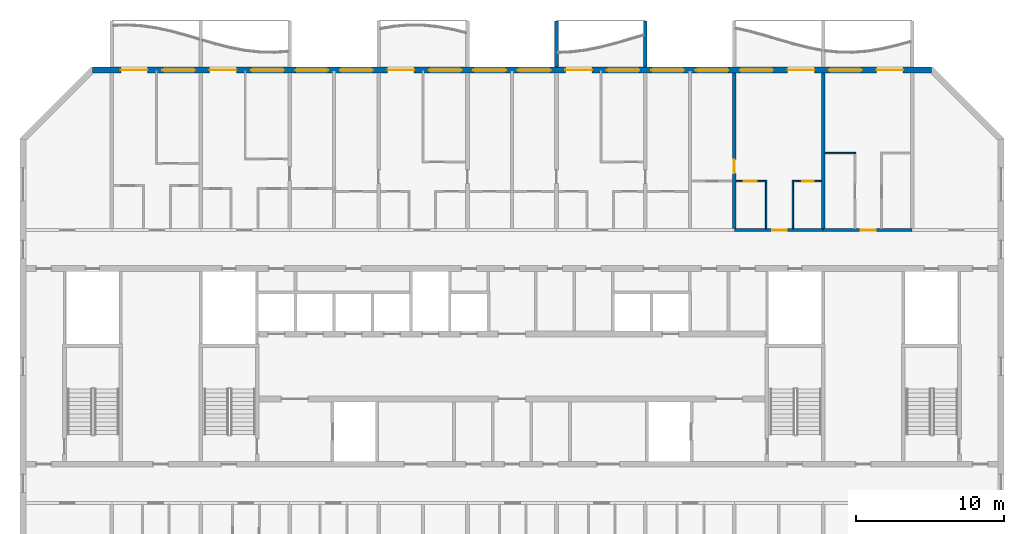
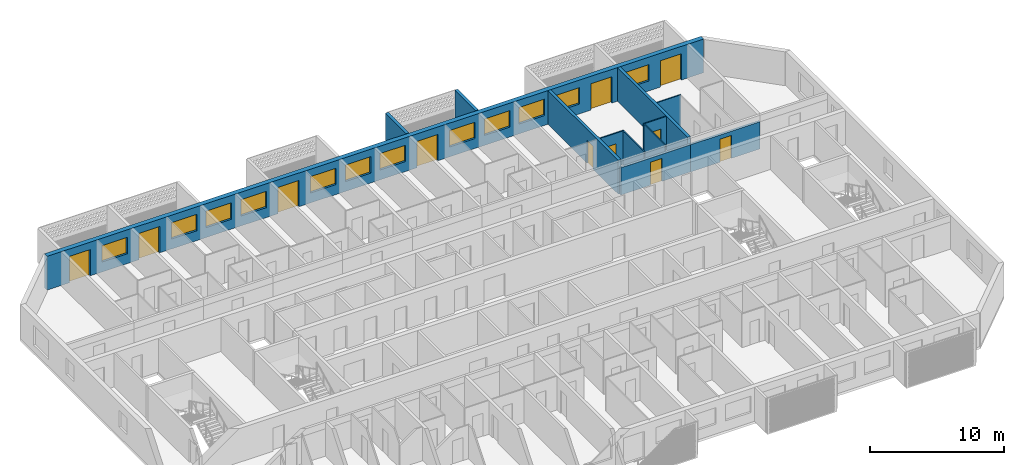
# One storey, part 10 of 27: 12 walls, 12 windows, 11 doors, 23 openings.
"""IFC4 building model written with IfcOpenShell, lengths in metres."""

from ifc_helpers import new_model, si_unit, direction, frame, frame_2d, origin, place, context, subcontext, project, spatial, polyline, rectangle, outline, extrude, source, transform, mapped, material, layer, layer_set, type_object, element, fill, save


model = new_model("IFC4")

# Units and contexts
model_context = context("Model", 3, precision=1e-05, world=origin(), true_north=direction((0.0, 1.0)))
body_context = subcontext(model_context, "Body", "Model", "MODEL_VIEW")
ifc_project = project(units=[si_unit("LENGTHUNIT", "METRE"), si_unit("AREAUNIT", "SQUARE_METRE"), si_unit("VOLUMEUNIT", "CUBIC_METRE"), si_unit("PLANEANGLEUNIT", "RADIAN"), si_unit("MASSUNIT", "GRAM", prefix="KILO")], contexts=[model_context])

# Site, building, storey
site_placement = place(None, origin())
site = spatial("IfcSite", under=ifc_project, at=site_placement, CompositionType="ELEMENT")
building_placement = place(site_placement, origin())
building = spatial("IfcBuilding", under=site, at=building_placement, Name="Poui Terraces", CompositionType="ELEMENT")
storey_placement = place(building_placement, frame((0.0, 0.0, 195.0)))
storey = spatial("IfcBuildingStorey", under=building, at=storey_placement, Name="L54", CompositionType="ELEMENT", Elevation=195.0)

# Wall, opening, door
ifc_material_1 = material(Name="Concrete 50 MPa", Category="concrete")
ifc_layer_1 = layer(ifc_material_1, 0.199951171875)
ifc_layer_set_1 = layer_set([ifc_layer_1], Name="Concrete 50 MPa")
wall_type_1 = type_object("IfcWallType", Name="CORRIDOR WALL 200 50MPa", PredefinedType="SHEAR", material=ifc_layer_set_1)
wall_1_placement = place(storey_placement, frame((66.0, 30.39990234375, 0.0), z_axis=(0.0, 0.0, 1.0), x_axis=(1.0, 0.0, 0.0)))
wall_1 = element("IfcWall", 1, at=wall_1_placement, inside=storey, type_object=wall_type_1, Name="CORRIDOR WALL LINE E BAY 9", PredefinedType="SHEAR", context=body_context, shape_type="SweptSolid", body=[
    extrude(rectangle(XDim=6.0, YDim=0.199951171875, at=frame_2d((3.0, 0.0))), origin(), (0.0, 0.0, 1.0), 2.47998046875),
])
opening_1_placement = place(wall_1_placement, frame((2.550048828125, 0.0, 0.0)))
opening_1 = element("IfcOpeningElement", 2, at=opening_1_placement, cuts=wall_1, Name="Opening FD30S", PredefinedType="OPENING", context=body_context, shape_type="SweptSolid", body=[
    extrude(rectangle(XDim=1.0, YDim=2.10009765625, at=frame_2d((0.5, 1.050048828125))), frame((0.0, 0.10986328125, 0.0), z_axis=(0.0, -1.0, 0.0), x_axis=(1.0, 0.0, 0.0)), (0.0, 0.0, 1.0), 0.219970703125),
])
ifc_material_2 = material(Name="Steel fire door", Category="steel")
door_type_1 = type_object("IfcDoorType", Name="FLAT ENTRANCE DOOR 1000 X 2100", OperationType="NOTDEFINED", PredefinedType="DOOR", material=ifc_material_2)
door_1_placement = place(opening_1_placement, origin())
door_1 = element("IfcDoor", 3, at=door_1_placement, inside=storey, type_object=door_type_1, Name="FLAT ENTRANCE DOOR 057", OperationType="SINGLE_SWING_RIGHT", OverallHeight=2.10009765625, OverallWidth=1.0, PredefinedType="DOOR", context=body_context, shape_type="SweptSolid", body=[
    extrude(rectangle(XDim=1.0, YDim=2.10009765625, at=frame_2d((0.5, 1.050048828125))), frame((0.0, 0.02490234375, 0.0), z_axis=(0.0, -1.0, 0.0), x_axis=(1.0, 0.0, 0.0)), (0.0, 0.0, 1.0), 0.050048828125),
])
fill(opening_1, door_1)

wall_2_placement = place(storey_placement, frame((72.0, 30.39990234375, 0.0), z_axis=(0.0, 0.0, 1.0), x_axis=(1.0, 0.0, 0.0)))
wall_2 = element("IfcWall", 4, at=wall_2_placement, inside=storey, type_object=wall_type_1, Name="CORRIDOR WALL LINE E BAY 10", PredefinedType="SHEAR", context=body_context, shape_type="SweptSolid", body=[
    extrude(rectangle(XDim=6.0, YDim=0.199951171875, at=frame_2d((3.0, 0.0))), origin(), (0.0, 0.0, 1.0), 2.47998046875),
])
opening_2_placement = place(wall_2_placement, frame((2.550048828125, 0.0, 0.0)))
opening_2 = element("IfcOpeningElement", 5, at=opening_2_placement, cuts=wall_2, Name="Opening FD30S", PredefinedType="OPENING", context=body_context, shape_type="SweptSolid", body=[
    extrude(rectangle(XDim=1.0, YDim=2.10009765625, at=frame_2d((0.5, 1.050048828125))), frame((0.0, 0.10986328125, 0.0), z_axis=(0.0, -1.0, 0.0), x_axis=(1.0, 0.0, 0.0)), (0.0, 0.0, 1.0), 0.219970703125),
])
door_2_placement = place(opening_2_placement, origin())
door_2 = element("IfcDoor", 6, at=door_2_placement, inside=storey, type_object=door_type_1, Name="FLAT ENTRANCE DOOR 060", OperationType="SINGLE_SWING_RIGHT", OverallHeight=2.10009765625, OverallWidth=1.0, PredefinedType="DOOR", context=body_context, shape_type="SweptSolid", body=[
    extrude(rectangle(XDim=1.0, YDim=2.10009765625, at=frame_2d((0.5, 1.050048828125))), frame((0.0, 0.02490234375, 0.0), z_axis=(0.0, -1.0, 0.0), x_axis=(1.0, 0.0, 0.0)), (0.0, 0.0, 1.0), 0.050048828125),
])
fill(opening_2, door_2)

ifc_layer_2 = layer(ifc_material_1, 0.25)
ifc_layer_set_2 = layer_set([ifc_layer_2], Name="Concrete 50 MPa")
wall_type_2 = type_object("IfcWallType", Name="CROSS WALL 250 50MPa", PredefinedType="SHEAR", material=ifc_layer_set_2)
wall_3_placement = place(storey_placement, frame((66.0, 30.5, 0.0), z_axis=(0.0, 0.0, 1.0), x_axis=(0.0, 1.0, 0.0)))
wall_3 = element("IfcWall", 7, at=wall_3_placement, inside=storey, type_object=wall_type_2, Name="CROSS WALL LINE 12 NORTH", PredefinedType="SHEAR", context=body_context, shape_type="SweptSolid", body=[
    extrude(rectangle(XDim=10.5, YDim=0.25, at=frame_2d((5.25, 0.0))), origin(), (0.0, 0.0, 1.0), 3.080078125),
])
opening_3_placement = place(wall_3_placement, frame((3.75, 0.0, 0.0)))
opening_3 = element("IfcOpeningElement", 8, at=opening_3_placement, cuts=wall_3, Name="Opening D90", PredefinedType="OPENING", context=body_context, shape_type="SweptSolid", body=[
    extrude(rectangle(XDim=0.89990234375, YDim=2.10009765625, at=frame_2d((0.449951171875, 1.050048828125))), frame((0.0, 0.135009765625, 0.0), z_axis=(0.0, -1.0, 0.0), x_axis=(1.0, 0.0, 0.0)), (0.0, 0.0, 1.0), 0.27001953125),
])
ifc_material_3 = material(Name="Solid core timber door", Category="wood")
door_type_2 = type_object("IfcDoorType", Name="INTERNAL DOOR 900 X 2100", OperationType="NOTDEFINED", PredefinedType="DOOR", material=ifc_material_3)
door_3_placement = place(opening_3_placement, origin())
door_3 = element("IfcDoor", 9, at=door_3_placement, inside=storey, type_object=door_type_2, Name="INTERNAL DOOR 055", OperationType="SINGLE_SWING_LEFT", OverallHeight=2.10009765625, OverallWidth=0.89990234375, PredefinedType="DOOR", context=body_context, shape_type="SweptSolid", body=[
    extrude(rectangle(XDim=0.89990234375, YDim=2.10009765625, at=frame_2d((0.449951171875, 1.050048828125))), frame((0.0, 0.02490234375, 0.0), z_axis=(0.0, -1.0, 0.0), x_axis=(1.0, 0.0, 0.0)), (0.0, 0.0, 1.0), 0.050048828125),
])
fill(opening_3, door_3)

# Wall
wall_4_placement = place(storey_placement, frame((72.0, 30.5, 0.0), z_axis=(0.0, 0.0, 1.0), x_axis=(0.0, 1.0, 0.0)))
element("IfcWall", 10, at=wall_4_placement, inside=storey, type_object=wall_type_2, Name="CROSS WALL LINE 13 NORTH", PredefinedType="SHEAR", context=body_context, shape_type="SweptSolid", body=[
    extrude(rectangle(XDim=10.5, YDim=0.25, at=frame_2d((5.25, 0.0))), origin(), (0.0, 0.0, 1.0), 3.080078125),
])

# Wall, openings, doors, windows
ifc_material_4 = material(Name="Precast concrete 40 MPa", Category="concrete")
ifc_layer_3 = layer(ifc_material_4, 0.39990234375)
ifc_layer_set_3 = layer_set([ifc_layer_3], Name="Precast concrete 40 MPa")
wall_type_3 = type_object("IfcWallType", Name="EXTERNAL WALL 400", PredefinedType="STANDARD", material=ifc_layer_set_3)
wall_5_placement = place(storey_placement, frame((79.317138671875, 41.199951171875, 0.0), z_axis=(0.0, 0.0, 1.0), x_axis=(-1.0, 0.0, 0.0)))
wall_5 = element("IfcWall", 11, at=wall_5_placement, inside=storey, type_object=wall_type_3, Name="EXTERNAL WALL N", PredefinedType="STANDARD", context=body_context, shape_type="SweptSolid", body=[
    extrude(rectangle(XDim=56.63427734375, YDim=0.39990234375, at=frame_2d((28.317138671875, 0.0))), origin(), (0.0, 0.0, 1.0), 3.080078125),
])
opening_4_placement = place(wall_5_placement, frame((52.917236328125, 0.0, 0.0)))
opening_4 = element("IfcOpeningElement", 12, at=opening_4_placement, cuts=wall_5, Name="Opening BD1", PredefinedType="OPENING", context=body_context, shape_type="SweptSolid", body=[
    extrude(rectangle(XDim=1.800048828125, YDim=2.39990234375, at=frame_2d((0.89990234375, 1.199951171875))), frame((0.0, 0.2099609375, 0.0), z_axis=(0.0, -1.0, 0.0), x_axis=(1.0, 0.0, 0.0)), (0.0, 0.0, 1.0), 0.419921875),
])
opening_5_placement = place(wall_5_placement, frame((49.71728515625, 0.0, 0.89990234375)))
opening_5 = element("IfcOpeningElement", 13, at=opening_5_placement, cuts=wall_5, Name="Opening W1", PredefinedType="OPENING", context=body_context, shape_type="SweptSolid", body=[
    extrude(rectangle(XDim=2.199951171875, YDim=1.5, at=frame_2d((1.10009765625, 0.75))), frame((0.0, 0.2099609375, 0.0), z_axis=(0.0, -1.0, 0.0), x_axis=(1.0, 0.0, 0.0)), (0.0, 0.0, 1.0), 0.419921875),
])
opening_6_placement = place(wall_5_placement, frame((46.917236328125, 0.0, 0.0)))
opening_6 = element("IfcOpeningElement", 14, at=opening_6_placement, cuts=wall_5, Name="Opening BD1", PredefinedType="OPENING", context=body_context, shape_type="SweptSolid", body=[
    extrude(rectangle(XDim=1.800048828125, YDim=2.39990234375, at=frame_2d((0.89990234375, 1.199951171875))), frame((0.0, 0.2099609375, 0.0), z_axis=(0.0, -1.0, 0.0), x_axis=(1.0, 0.0, 0.0)), (0.0, 0.0, 1.0), 0.419921875),
])
opening_7_placement = place(wall_5_placement, frame((43.71728515625, 0.0, 0.89990234375)))
opening_7 = element("IfcOpeningElement", 15, at=opening_7_placement, cuts=wall_5, Name="Opening W1", PredefinedType="OPENING", context=body_context, shape_type="SweptSolid", body=[
    extrude(rectangle(XDim=2.199951171875, YDim=1.5, at=frame_2d((1.10009765625, 0.75))), frame((0.0, 0.2099609375, 0.0), z_axis=(0.0, -1.0, 0.0), x_axis=(1.0, 0.0, 0.0)), (0.0, 0.0, 1.0), 0.419921875),
])
opening_8_placement = place(wall_5_placement, frame((40.71728515625, 0.0, 0.89990234375)))
opening_8 = element("IfcOpeningElement", 16, at=opening_8_placement, cuts=wall_5, Name="Opening W1", PredefinedType="OPENING", context=body_context, shape_type="SweptSolid", body=[
    extrude(rectangle(XDim=2.199951171875, YDim=1.5, at=frame_2d((1.10009765625, 0.75))), frame((0.0, 0.2099609375, 0.0), z_axis=(0.0, -1.0, 0.0), x_axis=(1.0, 0.0, 0.0)), (0.0, 0.0, 1.0), 0.419921875),
])
opening_9_placement = place(wall_5_placement, frame((37.71728515625, 0.0, 0.89990234375)))
opening_9 = element("IfcOpeningElement", 17, at=opening_9_placement, cuts=wall_5, Name="Opening W1", PredefinedType="OPENING", context=body_context, shape_type="SweptSolid", body=[
    extrude(rectangle(XDim=2.199951171875, YDim=1.5, at=frame_2d((1.10009765625, 0.75))), frame((0.0, 0.2099609375, 0.0), z_axis=(0.0, -1.0, 0.0), x_axis=(1.0, 0.0, 0.0)), (0.0, 0.0, 1.0), 0.419921875),
])
opening_10_placement = place(wall_5_placement, frame((34.917236328125, 0.0, 0.0)))
opening_10 = element("IfcOpeningElement", 18, at=opening_10_placement, cuts=wall_5, Name="Opening BD1", PredefinedType="OPENING", context=body_context, shape_type="SweptSolid", body=[
    extrude(rectangle(XDim=1.800048828125, YDim=2.39990234375, at=frame_2d((0.89990234375, 1.199951171875))), frame((0.0, 0.2099609375, 0.0), z_axis=(0.0, -1.0, 0.0), x_axis=(1.0, 0.0, 0.0)), (0.0, 0.0, 1.0), 0.419921875),
])
opening_11_placement = place(wall_5_placement, frame((31.71728515625, 0.0, 0.89990234375)))
opening_11 = element("IfcOpeningElement", 19, at=opening_11_placement, cuts=wall_5, Name="Opening W1", PredefinedType="OPENING", context=body_context, shape_type="SweptSolid", body=[
    extrude(rectangle(XDim=2.199951171875, YDim=1.5, at=frame_2d((1.10009765625, 0.75))), frame((0.0, 0.2099609375, 0.0), z_axis=(0.0, -1.0, 0.0), x_axis=(1.0, 0.0, 0.0)), (0.0, 0.0, 1.0), 0.419921875),
])
opening_12_placement = place(wall_5_placement, frame((28.71728515625, 0.0, 0.89990234375)))
opening_12 = element("IfcOpeningElement", 20, at=opening_12_placement, cuts=wall_5, Name="Opening W1", PredefinedType="OPENING", context=body_context, shape_type="SweptSolid", body=[
    extrude(rectangle(XDim=2.199951171875, YDim=1.5, at=frame_2d((1.10009765625, 0.75))), frame((0.0, 0.2099609375, 0.0), z_axis=(0.0, -1.0, 0.0), x_axis=(1.0, 0.0, 0.0)), (0.0, 0.0, 1.0), 0.419921875),
])
opening_13_placement = place(wall_5_placement, frame((25.71728515625, 0.0, 0.89990234375)))
opening_13 = element("IfcOpeningElement", 21, at=opening_13_placement, cuts=wall_5, Name="Opening W1", PredefinedType="OPENING", context=body_context, shape_type="SweptSolid", body=[
    extrude(rectangle(XDim=2.199951171875, YDim=1.5, at=frame_2d((1.10009765625, 0.75))), frame((0.0, 0.2099609375, 0.0), z_axis=(0.0, -1.0, 0.0), x_axis=(1.0, 0.0, 0.0)), (0.0, 0.0, 1.0), 0.419921875),
])
opening_14_placement = place(wall_5_placement, frame((22.917236328125, 0.0, 0.0)))
opening_14 = element("IfcOpeningElement", 22, at=opening_14_placement, cuts=wall_5, Name="Opening BD1", PredefinedType="OPENING", context=body_context, shape_type="SweptSolid", body=[
    extrude(rectangle(XDim=1.800048828125, YDim=2.39990234375, at=frame_2d((0.89990234375, 1.199951171875))), frame((0.0, 0.2099609375, 0.0), z_axis=(0.0, -1.0, 0.0), x_axis=(1.0, 0.0, 0.0)), (0.0, 0.0, 1.0), 0.419921875),
])
opening_15_placement = place(wall_5_placement, frame((19.71728515625, 0.0, 0.89990234375)))
opening_15 = element("IfcOpeningElement", 23, at=opening_15_placement, cuts=wall_5, Name="Opening W1", PredefinedType="OPENING", context=body_context, shape_type="SweptSolid", body=[
    extrude(rectangle(XDim=2.199951171875, YDim=1.5, at=frame_2d((1.10009765625, 0.75))), frame((0.0, 0.2099609375, 0.0), z_axis=(0.0, -1.0, 0.0), x_axis=(1.0, 0.0, 0.0)), (0.0, 0.0, 1.0), 0.419921875),
])
opening_16_placement = place(wall_5_placement, frame((16.71728515625, 0.0, 0.89990234375)))
opening_16 = element("IfcOpeningElement", 24, at=opening_16_placement, cuts=wall_5, Name="Opening W1", PredefinedType="OPENING", context=body_context, shape_type="SweptSolid", body=[
    extrude(rectangle(XDim=2.199951171875, YDim=1.5, at=frame_2d((1.10009765625, 0.75))), frame((0.0, 0.2099609375, 0.0), z_axis=(0.0, -1.0, 0.0), x_axis=(1.0, 0.0, 0.0)), (0.0, 0.0, 1.0), 0.419921875),
])
opening_17_placement = place(wall_5_placement, frame((13.71728515625, 0.0, 0.89990234375)))
opening_17 = element("IfcOpeningElement", 25, at=opening_17_placement, cuts=wall_5, Name="Opening W1", PredefinedType="OPENING", context=body_context, shape_type="SweptSolid", body=[
    extrude(rectangle(XDim=2.199951171875, YDim=1.5, at=frame_2d((1.10009765625, 0.75))), frame((0.0, 0.2099609375, 0.0), z_axis=(0.0, -1.0, 0.0), x_axis=(1.0, 0.0, 0.0)), (0.0, 0.0, 1.0), 0.419921875),
])
opening_18_placement = place(wall_5_placement, frame((10.71728515625, 0.0, 0.89990234375)))
opening_18 = element("IfcOpeningElement", 26, at=opening_18_placement, cuts=wall_5, Name="Opening W1", PredefinedType="OPENING", context=body_context, shape_type="SweptSolid", body=[
    extrude(rectangle(XDim=2.199951171875, YDim=1.5, at=frame_2d((1.10009765625, 0.75))), frame((0.0, 0.2099609375, 0.0), z_axis=(0.0, -1.0, 0.0), x_axis=(1.0, 0.0, 0.0)), (0.0, 0.0, 1.0), 0.419921875),
])
opening_19_placement = place(wall_5_placement, frame((7.917236328125, 0.0, 0.0)))
opening_19 = element("IfcOpeningElement", 27, at=opening_19_placement, cuts=wall_5, Name="Opening BD1", PredefinedType="OPENING", context=body_context, shape_type="SweptSolid", body=[
    extrude(rectangle(XDim=1.800048828125, YDim=2.39990234375, at=frame_2d((0.89990234375, 1.199951171875))), frame((0.0, 0.2099609375, 0.0), z_axis=(0.0, -1.0, 0.0), x_axis=(1.0, 0.0, 0.0)), (0.0, 0.0, 1.0), 0.419921875),
])
opening_20_placement = place(wall_5_placement, frame((4.71728515625, 0.0, 0.89990234375)))
opening_20 = element("IfcOpeningElement", 28, at=opening_20_placement, cuts=wall_5, Name="Opening W1", PredefinedType="OPENING", context=body_context, shape_type="SweptSolid", body=[
    extrude(rectangle(XDim=2.199951171875, YDim=1.5, at=frame_2d((1.10009765625, 0.75))), frame((0.0, 0.2099609375, 0.0), z_axis=(0.0, -1.0, 0.0), x_axis=(1.0, 0.0, 0.0)), (0.0, 0.0, 1.0), 0.419921875),
])
opening_21_placement = place(wall_5_placement, frame((1.917236328125, 0.0, 0.0)))
opening_21 = element("IfcOpeningElement", 29, at=opening_21_placement, cuts=wall_5, Name="Opening BD1", PredefinedType="OPENING", context=body_context, shape_type="SweptSolid", body=[
    extrude(rectangle(XDim=1.800048828125, YDim=2.39990234375, at=frame_2d((0.89990234375, 1.199951171875))), frame((0.0, 0.2099609375, 0.0), z_axis=(0.0, -1.0, 0.0), x_axis=(1.0, 0.0, 0.0)), (0.0, 0.0, 1.0), 0.419921875),
])
ifc_material_5 = material(Name="Clear glass in aluminium frame", Category="aluminium")
door_type_3 = type_object("IfcDoorType", Name="BALCONY DOOR 1800X2400", OperationType="DOUBLE_DOOR_SLIDING", PredefinedType="DOOR", material=ifc_material_5)
door_4_placement = place(opening_4_placement, origin())
door_4 = element("IfcDoor", 30, at=door_4_placement, inside=storey, type_object=door_type_3, Name="BD1 BALCONY DOOR", OperationType="DOUBLE_DOOR_SLIDING", OverallHeight=2.39990234375, OverallWidth=1.800048828125, PredefinedType="DOOR", context=body_context, shape_type="SweptSolid", body=[
    extrude(rectangle(XDim=1.800048828125, YDim=2.39990234375, at=frame_2d((0.89990234375, 1.199951171875))), frame((0.0, 0.02490234375, 0.0), z_axis=(0.0, -1.0, 0.0), x_axis=(1.0, 0.0, 0.0)), (0.0, 0.0, 1.0), 0.050048828125),
])
fill(opening_4, door_4)
door_5_placement = place(opening_6_placement, origin())
door_5 = element("IfcDoor", 31, at=door_5_placement, inside=storey, type_object=door_type_3, Name="BD1 BALCONY DOOR", OperationType="DOUBLE_DOOR_SLIDING", OverallHeight=2.39990234375, OverallWidth=1.800048828125, PredefinedType="DOOR", context=body_context, shape_type="SweptSolid", body=[
    extrude(rectangle(XDim=1.800048828125, YDim=2.39990234375, at=frame_2d((0.89990234375, 1.199951171875))), frame((0.0, 0.02490234375, 0.0), z_axis=(0.0, -1.0, 0.0), x_axis=(1.0, 0.0, 0.0)), (0.0, 0.0, 1.0), 0.050048828125),
])
fill(opening_6, door_5)
door_6_placement = place(opening_10_placement, origin())
door_6 = element("IfcDoor", 32, at=door_6_placement, inside=storey, type_object=door_type_3, Name="BD1 BALCONY DOOR", OperationType="DOUBLE_DOOR_SLIDING", OverallHeight=2.39990234375, OverallWidth=1.800048828125, PredefinedType="DOOR", context=body_context, shape_type="SweptSolid", body=[
    extrude(rectangle(XDim=1.800048828125, YDim=2.39990234375, at=frame_2d((0.89990234375, 1.199951171875))), frame((0.0, 0.02490234375, 0.0), z_axis=(0.0, -1.0, 0.0), x_axis=(1.0, 0.0, 0.0)), (0.0, 0.0, 1.0), 0.050048828125),
])
fill(opening_10, door_6)
door_7_placement = place(opening_14_placement, origin())
door_7 = element("IfcDoor", 33, at=door_7_placement, inside=storey, type_object=door_type_3, Name="BD1 BALCONY DOOR", OperationType="DOUBLE_DOOR_SLIDING", OverallHeight=2.39990234375, OverallWidth=1.800048828125, PredefinedType="DOOR", context=body_context, shape_type="SweptSolid", body=[
    extrude(rectangle(XDim=1.800048828125, YDim=2.39990234375, at=frame_2d((0.89990234375, 1.199951171875))), frame((0.0, 0.02490234375, 0.0), z_axis=(0.0, -1.0, 0.0), x_axis=(1.0, 0.0, 0.0)), (0.0, 0.0, 1.0), 0.050048828125),
])
fill(opening_14, door_7)
door_8_placement = place(opening_19_placement, origin())
door_8 = element("IfcDoor", 34, at=door_8_placement, inside=storey, type_object=door_type_3, Name="BD1 BALCONY DOOR", OperationType="DOUBLE_DOOR_SLIDING", OverallHeight=2.39990234375, OverallWidth=1.800048828125, PredefinedType="DOOR", context=body_context, shape_type="SweptSolid", body=[
    extrude(rectangle(XDim=1.800048828125, YDim=2.39990234375, at=frame_2d((0.89990234375, 1.199951171875))), frame((0.0, 0.02490234375, 0.0), z_axis=(0.0, -1.0, 0.0), x_axis=(1.0, 0.0, 0.0)), (0.0, 0.0, 1.0), 0.050048828125),
])
fill(opening_19, door_8)
door_9_placement = place(opening_21_placement, origin())
door_9 = element("IfcDoor", 35, at=door_9_placement, inside=storey, type_object=door_type_3, Name="BD1 BALCONY DOOR", OperationType="DOUBLE_DOOR_SLIDING", OverallHeight=2.39990234375, OverallWidth=1.800048828125, PredefinedType="DOOR", context=body_context, shape_type="SweptSolid", body=[
    extrude(rectangle(XDim=1.800048828125, YDim=2.39990234375, at=frame_2d((0.89990234375, 1.199951171875))), frame((0.0, 0.02490234375, 0.0), z_axis=(0.0, -1.0, 0.0), x_axis=(1.0, 0.0, 0.0)), (0.0, 0.0, 1.0), 0.050048828125),
])
fill(opening_21, door_9)
window_type = type_object("IfcWindowType", Name="WINDOW 2200X1500", PartitioningType="DOUBLE_PANEL_HORIZONTAL", PredefinedType="WINDOW", material=ifc_material_5)
window_1_placement = place(opening_5_placement, origin())
window_1 = element("IfcWindow", 36, at=window_1_placement, inside=storey, type_object=window_type, Name="W1 WINDOW", OverallHeight=1.5, OverallWidth=2.199951171875, PartitioningType="DOUBLE_PANEL_HORIZONTAL", PredefinedType="WINDOW", context=body_context, shape_type="SweptSolid", body=[
    extrude(rectangle(XDim=2.199951171875, YDim=1.5, at=frame_2d((1.10009765625, 0.75))), frame((0.0, 0.030029296875, 0.0), z_axis=(0.0, -1.0, 0.0), x_axis=(1.0, 0.0, 0.0)), (0.0, 0.0, 1.0), 0.06005859375),
])
fill(opening_5, window_1)
window_2_placement = place(opening_7_placement, origin())
window_2 = element("IfcWindow", 37, at=window_2_placement, inside=storey, type_object=window_type, Name="W1 WINDOW", OverallHeight=1.5, OverallWidth=2.199951171875, PartitioningType="DOUBLE_PANEL_HORIZONTAL", PredefinedType="WINDOW", context=body_context, shape_type="SweptSolid", body=[
    extrude(rectangle(XDim=2.199951171875, YDim=1.5, at=frame_2d((1.10009765625, 0.75))), frame((0.0, 0.030029296875, 0.0), z_axis=(0.0, -1.0, 0.0), x_axis=(1.0, 0.0, 0.0)), (0.0, 0.0, 1.0), 0.06005859375),
])
fill(opening_7, window_2)
window_3_placement = place(opening_8_placement, origin())
window_3 = element("IfcWindow", 38, at=window_3_placement, inside=storey, type_object=window_type, Name="W1 WINDOW", OverallHeight=1.5, OverallWidth=2.199951171875, PartitioningType="DOUBLE_PANEL_HORIZONTAL", PredefinedType="WINDOW", context=body_context, shape_type="SweptSolid", body=[
    extrude(rectangle(XDim=2.199951171875, YDim=1.5, at=frame_2d((1.10009765625, 0.75))), frame((0.0, 0.030029296875, 0.0), z_axis=(0.0, -1.0, 0.0), x_axis=(1.0, 0.0, 0.0)), (0.0, 0.0, 1.0), 0.06005859375),
])
fill(opening_8, window_3)
window_4_placement = place(opening_9_placement, origin())
window_4 = element("IfcWindow", 39, at=window_4_placement, inside=storey, type_object=window_type, Name="W1 WINDOW", OverallHeight=1.5, OverallWidth=2.199951171875, PartitioningType="DOUBLE_PANEL_HORIZONTAL", PredefinedType="WINDOW", context=body_context, shape_type="SweptSolid", body=[
    extrude(rectangle(XDim=2.199951171875, YDim=1.5, at=frame_2d((1.10009765625, 0.75))), frame((0.0, 0.030029296875, 0.0), z_axis=(0.0, -1.0, 0.0), x_axis=(1.0, 0.0, 0.0)), (0.0, 0.0, 1.0), 0.06005859375),
])
fill(opening_9, window_4)
window_5_placement = place(opening_11_placement, origin())
window_5 = element("IfcWindow", 40, at=window_5_placement, inside=storey, type_object=window_type, Name="W1 WINDOW", OverallHeight=1.5, OverallWidth=2.199951171875, PartitioningType="DOUBLE_PANEL_HORIZONTAL", PredefinedType="WINDOW", context=body_context, shape_type="SweptSolid", body=[
    extrude(rectangle(XDim=2.199951171875, YDim=1.5, at=frame_2d((1.10009765625, 0.75))), frame((0.0, 0.030029296875, 0.0), z_axis=(0.0, -1.0, 0.0), x_axis=(1.0, 0.0, 0.0)), (0.0, 0.0, 1.0), 0.06005859375),
])
fill(opening_11, window_5)
window_6_placement = place(opening_12_placement, origin())
window_6 = element("IfcWindow", 41, at=window_6_placement, inside=storey, type_object=window_type, Name="W1 WINDOW", OverallHeight=1.5, OverallWidth=2.199951171875, PartitioningType="DOUBLE_PANEL_HORIZONTAL", PredefinedType="WINDOW", context=body_context, shape_type="SweptSolid", body=[
    extrude(rectangle(XDim=2.199951171875, YDim=1.5, at=frame_2d((1.10009765625, 0.75))), frame((0.0, 0.030029296875, 0.0), z_axis=(0.0, -1.0, 0.0), x_axis=(1.0, 0.0, 0.0)), (0.0, 0.0, 1.0), 0.06005859375),
])
fill(opening_12, window_6)
window_7_placement = place(opening_13_placement, origin())
window_7 = element("IfcWindow", 42, at=window_7_placement, inside=storey, type_object=window_type, Name="W1 WINDOW", OverallHeight=1.5, OverallWidth=2.199951171875, PartitioningType="DOUBLE_PANEL_HORIZONTAL", PredefinedType="WINDOW", context=body_context, shape_type="SweptSolid", body=[
    extrude(rectangle(XDim=2.199951171875, YDim=1.5, at=frame_2d((1.10009765625, 0.75))), frame((0.0, 0.030029296875, 0.0), z_axis=(0.0, -1.0, 0.0), x_axis=(1.0, 0.0, 0.0)), (0.0, 0.0, 1.0), 0.06005859375),
])
fill(opening_13, window_7)
window_8_placement = place(opening_15_placement, origin())
window_8 = element("IfcWindow", 43, at=window_8_placement, inside=storey, type_object=window_type, Name="W1 WINDOW", OverallHeight=1.5, OverallWidth=2.199951171875, PartitioningType="DOUBLE_PANEL_HORIZONTAL", PredefinedType="WINDOW", context=body_context, shape_type="SweptSolid", body=[
    extrude(rectangle(XDim=2.199951171875, YDim=1.5, at=frame_2d((1.10009765625, 0.75))), frame((0.0, 0.030029296875, 0.0), z_axis=(0.0, -1.0, 0.0), x_axis=(1.0, 0.0, 0.0)), (0.0, 0.0, 1.0), 0.06005859375),
])
fill(opening_15, window_8)
window_9_placement = place(opening_16_placement, origin())
window_9 = element("IfcWindow", 44, at=window_9_placement, inside=storey, type_object=window_type, Name="W1 WINDOW", OverallHeight=1.5, OverallWidth=2.199951171875, PartitioningType="DOUBLE_PANEL_HORIZONTAL", PredefinedType="WINDOW", context=body_context, shape_type="SweptSolid", body=[
    extrude(rectangle(XDim=2.199951171875, YDim=1.5, at=frame_2d((1.10009765625, 0.75))), frame((0.0, 0.030029296875, 0.0), z_axis=(0.0, -1.0, 0.0), x_axis=(1.0, 0.0, 0.0)), (0.0, 0.0, 1.0), 0.06005859375),
])
fill(opening_16, window_9)
window_10_placement = place(opening_17_placement, origin())
window_10 = element("IfcWindow", 45, at=window_10_placement, inside=storey, type_object=window_type, Name="W1 WINDOW", OverallHeight=1.5, OverallWidth=2.199951171875, PartitioningType="DOUBLE_PANEL_HORIZONTAL", PredefinedType="WINDOW", context=body_context, shape_type="SweptSolid", body=[
    extrude(rectangle(XDim=2.199951171875, YDim=1.5, at=frame_2d((1.10009765625, 0.75))), frame((0.0, 0.030029296875, 0.0), z_axis=(0.0, -1.0, 0.0), x_axis=(1.0, 0.0, 0.0)), (0.0, 0.0, 1.0), 0.06005859375),
])
fill(opening_17, window_10)
window_11_placement = place(opening_18_placement, origin())
window_11 = element("IfcWindow", 46, at=window_11_placement, inside=storey, type_object=window_type, Name="W1 WINDOW", OverallHeight=1.5, OverallWidth=2.199951171875, PartitioningType="DOUBLE_PANEL_HORIZONTAL", PredefinedType="WINDOW", context=body_context, shape_type="SweptSolid", body=[
    extrude(rectangle(XDim=2.199951171875, YDim=1.5, at=frame_2d((1.10009765625, 0.75))), frame((0.0, 0.030029296875, 0.0), z_axis=(0.0, -1.0, 0.0), x_axis=(1.0, 0.0, 0.0)), (0.0, 0.0, 1.0), 0.06005859375),
])
fill(opening_18, window_11)
window_12_placement = place(opening_20_placement, origin())
window_12 = element("IfcWindow", 47, at=window_12_placement, inside=storey, type_object=window_type, Name="W1 WINDOW", OverallHeight=1.5, OverallWidth=2.199951171875, PartitioningType="DOUBLE_PANEL_HORIZONTAL", PredefinedType="WINDOW", context=body_context, shape_type="SweptSolid", body=[
    extrude(rectangle(XDim=2.199951171875, YDim=1.5, at=frame_2d((1.10009765625, 0.75))), frame((0.0, 0.030029296875, 0.0), z_axis=(0.0, -1.0, 0.0), x_axis=(1.0, 0.0, 0.0)), (0.0, 0.0, 1.0), 0.06005859375),
])
fill(opening_20, window_12)

# Wall, opening, door
ifc_material_6 = material(Name="Plasterboard partition")
ifc_layer_4 = layer(ifc_material_6, 0.10009765625)
ifc_layer_set_4 = layer_set([ifc_layer_4], Name="Plasterboard partition")
wall_type_4 = type_object("IfcWallType", Name="FLAT PARTITION 100", PredefinedType="PARTITIONING", material=ifc_layer_set_4)
wall_6_placement = place(storey_placement, frame((66.135009765625, 33.699951171875, 0.0), z_axis=(0.0, 0.0, 1.0), x_axis=(1.0, 0.0, 0.0)))
wall_6 = element("IfcWall", 48, at=wall_6_placement, inside=storey, type_object=wall_type_4, Name="FLAT PARTITION 100", PredefinedType="PARTITIONING", context=body_context, shape_type="SweptSolid", body=[
    extrude(rectangle(XDim=2.06494140625, YDim=0.10009765625, at=frame_2d((1.032470703125, 0.0))), origin(), (0.0, 0.0, 1.0), 3.080078125),
])
opening_22_placement = place(wall_6_placement, frame((0.489990234375, 0.0, 0.0)))
opening_22 = element("IfcOpeningElement", 49, at=opening_22_placement, cuts=wall_6, Name="Opening D90", PredefinedType="OPENING", context=body_context, shape_type="SweptSolid", body=[
    extrude(rectangle(XDim=0.89990234375, YDim=2.10009765625, at=frame_2d((0.449951171875, 1.050048828125))), frame((0.0, 0.06005859375, 0.0), z_axis=(0.0, -1.0, 0.0), x_axis=(1.0, 0.0, 0.0)), (0.0, 0.0, 1.0), 0.1201171875),
])
door_10_placement = place(opening_22_placement, frame((0.89990234375, 0.0, 0.0), z_axis=(0.0, 0.0, 1.0), x_axis=(-1.0, 0.0, 0.0)))
door_10 = element("IfcDoor", 50, at=door_10_placement, inside=storey, type_object=door_type_2, Name="INTERNAL DOOR 056", OperationType="SINGLE_SWING_RIGHT", OverallHeight=2.10009765625, OverallWidth=0.89990234375, PredefinedType="DOOR", context=body_context, shape_type="SweptSolid", body=[
    extrude(rectangle(XDim=0.89990234375, YDim=2.10009765625, at=frame_2d((0.449951171875, 1.050048828125))), frame((0.0, 0.02490234375, 0.0), z_axis=(0.0, -1.0, 0.0), x_axis=(1.0, 0.0, 0.0)), (0.0, 0.0, 1.0), 0.050048828125),
])
fill(opening_22, door_10)

wall_7_placement = place(storey_placement, frame((69.89990234375, 33.699951171875, 0.0), z_axis=(0.0, 0.0, 1.0), x_axis=(1.0, 0.0, 0.0)))
wall_7 = element("IfcWall", 51, at=wall_7_placement, inside=storey, type_object=wall_type_4, Name="FLAT PARTITION 100", PredefinedType="PARTITIONING", context=body_context, shape_type="SweptSolid", body=[
    extrude(rectangle(XDim=1.965087890625, YDim=0.10009765625, at=frame_2d((0.982421875, 0.0))), origin(), (0.0, 0.0, 1.0), 3.080078125),
])
opening_23_placement = place(wall_7_placement, frame((0.675048828125, 0.0, 0.0)))
opening_23 = element("IfcOpeningElement", 52, at=opening_23_placement, cuts=wall_7, Name="Opening D80", PredefinedType="OPENING", context=body_context, shape_type="SweptSolid", body=[
    extrude(rectangle(XDim=0.800048828125, YDim=2.10009765625, at=frame_2d((0.39990234375, 1.050048828125))), frame((0.0, 0.06005859375, 0.0), z_axis=(0.0, -1.0, 0.0), x_axis=(1.0, 0.0, 0.0)), (0.0, 0.0, 1.0), 0.1201171875),
])
door_type_4 = type_object("IfcDoorType", Name="BATHROOM, LAUNDRY AND STORE DOOR 800 X 2100", OperationType="NOTDEFINED", PredefinedType="DOOR", material=ifc_material_3)
door_11_placement = place(opening_23_placement, frame((0.800048828125, 0.0, 0.0), z_axis=(0.0, 0.0, 1.0), x_axis=(-1.0, 0.0, 0.0)))
door_11 = element("IfcDoor", 53, at=door_11_placement, inside=storey, type_object=door_type_4, Name="BATHROOM, LAUNDRY AND STORE DOOR 058", OperationType="SINGLE_SWING_LEFT", OverallHeight=2.10009765625, OverallWidth=0.800048828125, PredefinedType="DOOR", context=body_context, shape_type="SweptSolid", body=[
    extrude(rectangle(XDim=0.800048828125, YDim=2.10009765625, at=frame_2d((0.39990234375, 1.050048828125))), frame((0.0, 0.02490234375, 0.0), z_axis=(0.0, -1.0, 0.0), x_axis=(1.0, 0.0, 0.0)), (0.0, 0.0, 1.0), 0.050048828125),
])
fill(opening_23, door_11)

# Walls
wall_8_placement = place(storey_placement, frame((72.135009765625, 35.60009765625, 0.0), z_axis=(0.0, 0.0, 1.0), x_axis=(1.0, 0.0, 0.0)))
element("IfcWall", 54, at=wall_8_placement, inside=storey, type_object=wall_type_4, Name="FLAT PARTITION 100", PredefinedType="PARTITIONING", context=body_context, shape_type="SweptSolid", body=[
    extrude(rectangle(XDim=2.06494140625, YDim=0.10009765625, at=frame_2d((1.032470703125, 0.0))), origin(), (0.0, 0.0, 1.0), 3.080078125),
])
for number, where, z_axis, x_axis, name in (
    (55, (68.14990234375, 30.510009765625, 0.0), (0.0, 0.0, 1.0), (0.0, 1.0, 0.0), "FLAT PARTITION 100"),
    (56, (69.949951171875, 30.510009765625, 0.0), (0.0, 0.0, 1.0), (0.0, 1.0, 0.0), "FLAT PARTITION 100"),
):
    element("IfcWall", number, at=place(storey_placement, frame(where, z_axis=z_axis, x_axis=x_axis)), inside=storey, type_object=wall_type_4, Name=name, PredefinedType="PARTITIONING", context=body_context, shape_type="SweptSolid", body=[
        extrude(rectangle(XDim=3.139892578125, YDim=0.10009765625, at=frame_2d((1.56982421875, 0.0))), origin(), (0.0, 0.0, 1.0), 3.080078125),
    ])
ifc_layer_5 = layer(ifc_material_4, 0.25)
ifc_layer_set_5 = layer_set([ifc_layer_5], Name="Precast concrete 40 MPa")
wall_type_5 = type_object("IfcWallType", Name="BALCONY FIN 250", PredefinedType="STANDARD", material=ifc_layer_set_5)
shared_shape = source(origin(), body_context, "Body", "SweptSolid", [
    extrude(outline(polyline([(0.0, 0.0), (0.25, 0.0), (0.25, 3.10009765625), (0.0, 3.10009765625), (0.0, 0.0)])), origin(), (0.0, 0.0, 1.0), 3.10009765625),
])
for number, where, name in (
    (57, (53.875, 41.39990234375, 0.0), "BALCONY FIN"),
    (58, (59.875, 41.39990234375, 0.0), "BALCONY FIN"),
):
    element("IfcWall", number, at=place(storey_placement, frame(where)), inside=storey, type_object=wall_type_5, Name=name, PredefinedType="STANDARD", context=body_context, shape_type="MappedRepresentation", body=[
        mapped(shared_shape, transform((0.0, 0.0, 0.0))),
    ])

save(model, "model.ifc")
